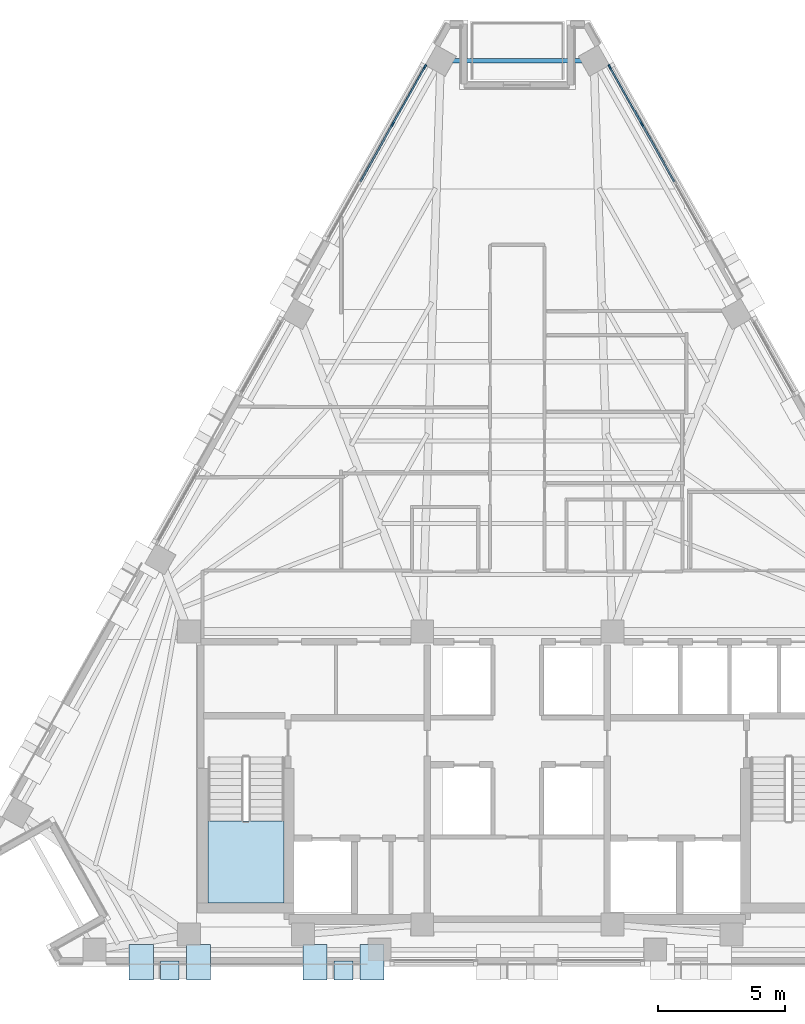
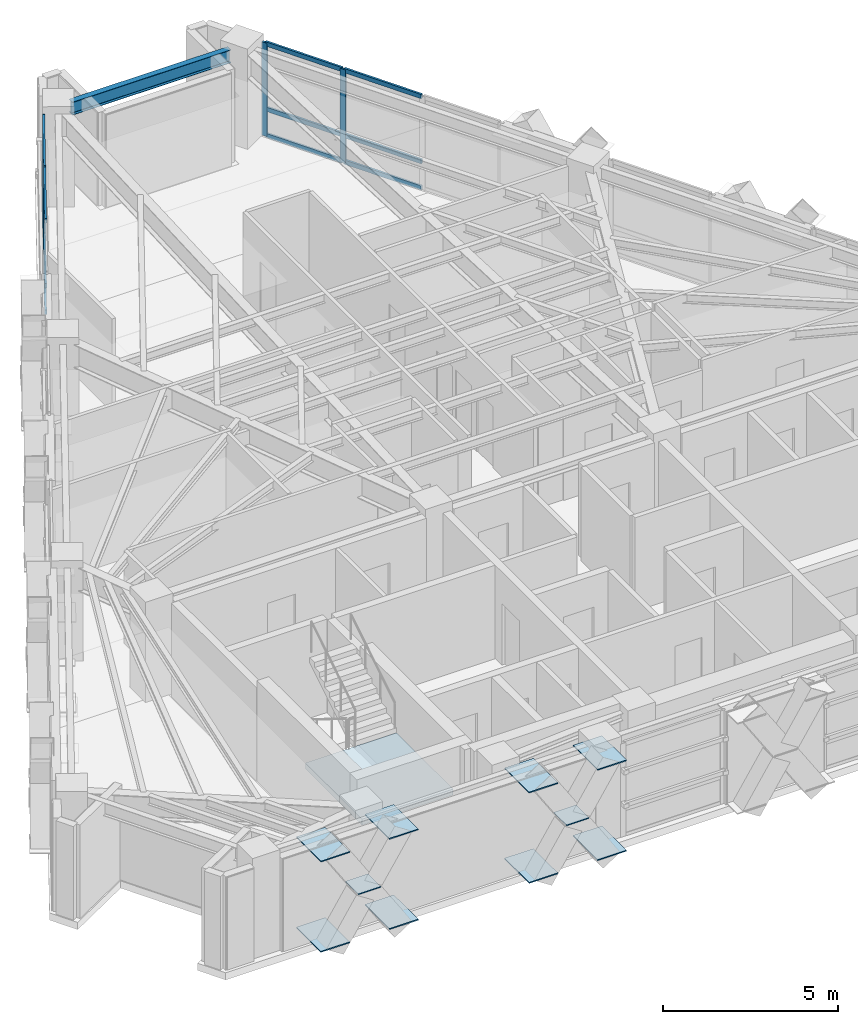
# One storey, part 6 of 15: 16 members, 10 plates, 1 beam, 1 slab, 3 elements without a shape of their own.
"""IFC4 building model written with IfcOpenShell, lengths in metres."""

from ifc_helpers import new_model, si_unit, direction, frame, origin, origin_2d, place, context, subcontext, project, spatial, polyline, rectangle, i_section, outline, extrude, material, layer, layer_set, material_profile, profile_set, type_object, element, aggregate, save


model = new_model("IFC4")

# Units and contexts
model_context = context("Model", 3, precision=1e-05, world=origin(), true_north=direction((0.0, 1.0)))
body_context = subcontext(model_context, "Body", "Model", "MODEL_VIEW")
ifc_project = project(units=[si_unit("LENGTHUNIT", "METRE"), si_unit("AREAUNIT", "SQUARE_METRE"), si_unit("VOLUMEUNIT", "CUBIC_METRE"), si_unit("PLANEANGLEUNIT", "RADIAN"), si_unit("MASSUNIT", "GRAM", prefix="KILO")], contexts=[model_context])

# Site, building, storey
site_placement = place(None, origin())
site = spatial("IfcSite", under=ifc_project, at=site_placement, CompositionType="ELEMENT")
building_placement = place(site_placement, origin())
building = spatial("IfcBuilding", under=site, at=building_placement, Name="Quenlor Broadcast Tower", CompositionType="ELEMENT")
storey_placement = place(building_placement, frame((0.0, 0.0, 183.39990234375)))
storey = spatial("IfcBuildingStorey", under=building, at=storey_placement, Name="L50", CompositionType="ELEMENT", Elevation=183.39990234375)

# Curtain wall, members
ifc_material_1 = material(Name="Architectural Terracotta and Low-E Glazing", Category="masonry")
curtain_wall_type = type_object("IfcCurtainWallType", Name="Unitised Terracotta Curtain Wall System Z4", PredefinedType="NOTDEFINED", material=ifc_material_1)
curtain_wall_1_placement = place(storey_placement, origin())
curtain_wall_1 = element("IfcCurtainWall", 1, at=curtain_wall_1_placement, inside=storey, type_object=curtain_wall_type, Name="L50 Curtain Wall CW4 (L50-NEA-G1)", PredefinedType="NOTDEFINED")
ifc_material_2 = material(Name="Aluminium 6063-T6", Category="aluminium")
ifc_material_profile_1 = material_profile(ifc_material_2, rectangle(XDim=0.068115234375, YDim=0.179931640625, at=origin_2d()))
ifc_profile_set_1 = profile_set([ifc_material_profile_1], Name="Aluminium 6063-T6 MULL68x180")
member_type_1 = type_object("IfcMemberType", Name="CW4 Aluminium Mullion MULL_CW4", PredefinedType="MULLION", material=ifc_profile_set_1)
member_1_placement = place(storey_placement, frame((3.640380859375, 17.468994140625, 0.0), z_axis=(0.0, 0.0, 1.0), x_axis=(0.871576890332, 0.490258833923, 0.0)))
member_1 = element("IfcMember", 2, at=member_1_placement, type_object=member_type_1, Name="CW4 mullion 1", PredefinedType="MULLION", context=body_context, shape_type="SweptSolid", body=[
    extrude(rectangle(XDim=0.068115234375, YDim=0.179931640625, at=origin_2d()), origin(), (0.0, 0.0, 1.0), 3.25),
])
member_2_placement = place(storey_placement, frame((4.913818359375, 15.205322265625, 0.0), z_axis=(0.0, 0.0, 1.0), x_axis=(0.871576890332, 0.490258833923, 0.0)))
member_2 = element("IfcMember", 3, at=member_2_placement, type_object=member_type_1, Name="CW4 mullion 2", PredefinedType="MULLION", context=body_context, shape_type="SweptSolid", body=[
    extrude(rectangle(XDim=0.068115234375, YDim=0.179931640625, at=origin_2d()), origin(), (0.0, 0.0, 1.0), 3.25),
])

curtain_wall_2_placement = place(storey_placement, origin())
curtain_wall_2 = element("IfcCurtainWall", 4, at=curtain_wall_2_placement, inside=storey, type_object=curtain_wall_type, Name="L50 Curtain Wall CW4 (L50-NWC-G1)", PredefinedType="NOTDEFINED")
member_3_placement = place(storey_placement, frame((-4.913818359375, 15.205322265625, 0.0), z_axis=(0.0, 0.0, 1.0), x_axis=(-0.871576890332, 0.490258833923, 0.0)))
member_3 = element("IfcMember", 5, at=member_3_placement, type_object=member_type_1, Name="CW4 mullion 3", PredefinedType="MULLION", context=body_context, shape_type="SweptSolid", body=[
    extrude(rectangle(XDim=0.068115234375, YDim=0.179931640625, at=origin_2d()), origin(), (0.0, 0.0, 1.0), 3.25),
])
member_4_placement = place(storey_placement, frame((-3.640380859375, 17.468994140625, 0.0), z_axis=(0.0, 0.0, 1.0), x_axis=(-0.871576890332, 0.490258833923, 0.0)))
member_4 = element("IfcMember", 6, at=member_4_placement, type_object=member_type_1, Name="CW4 mullion 4", PredefinedType="MULLION", context=body_context, shape_type="SweptSolid", body=[
    extrude(rectangle(XDim=0.068115234375, YDim=0.179931640625, at=origin_2d()), origin(), (0.0, 0.0, 1.0), 3.25),
])

# Member
ifc_material_3 = material(Name="Aluminium 6063-T6", Category="aluminium")
ifc_material_profile_2 = material_profile(ifc_material_3, rectangle(XDim=0.068115234375, YDim=0.14990234375, at=origin_2d()))
ifc_profile_set_2 = profile_set([ifc_material_profile_2], Name="Aluminium 6063-T6 TRAN68x150")
member_type_2 = type_object("IfcMemberType", Name="CW4 Aluminium Transom TRAN_CW4", PredefinedType="USERDEFINED", material=ifc_profile_set_2)
member_5_placement = place(storey_placement, frame((3.6572265625, 17.439453125, 0.0341796875), z_axis=(0.490233743591, -0.871591003077, 0.0), x_axis=(0.871591003077, 0.490233743591, 0.0)))
member_5 = element("IfcMember", 7, at=member_5_placement, type_object=member_type_2, Name="CW4 transom 1.1", ObjectType="TRANSOM", PredefinedType="USERDEFINED", context=body_context, shape_type="SweptSolid", body=[
    extrude(rectangle(XDim=0.068115234375, YDim=0.14990234375, at=origin_2d()), origin(), (0.0, 0.0, 1.0), 2.529296875),
])

member_6_placement = place(storey_placement, frame((3.6572265625, 17.439453125, 0.9501953125), z_axis=(0.490233743591, -0.871591003077, 0.0), x_axis=(0.871591003077, 0.490233743591, 0.0)))
member_6 = element("IfcMember", 8, at=member_6_placement, type_object=member_type_2, Name="CW4 transom 1.2", ObjectType="TRANSOM", PredefinedType="USERDEFINED", context=body_context, shape_type="SweptSolid", body=[
    extrude(rectangle(XDim=0.068115234375, YDim=0.14990234375, at=origin_2d()), origin(), (0.0, 0.0, 1.0), 2.529296875),
])

member_7_placement = place(storey_placement, frame((3.6572265625, 17.439453125, 3.216064453125), z_axis=(0.490233743591, -0.871591003077, 0.0), x_axis=(0.871591003077, 0.490233743591, 0.0)))
member_7 = element("IfcMember", 9, at=member_7_placement, type_object=member_type_2, Name="CW4 transom 1.3", ObjectType="TRANSOM", PredefinedType="USERDEFINED", context=body_context, shape_type="SweptSolid", body=[
    extrude(rectangle(XDim=0.068115234375, YDim=0.14990234375, at=origin_2d()), origin(), (0.0, 0.0, 1.0), 2.529296875),
])

member_8_placement = place(storey_placement, frame((4.930419921875, 15.175537109375, 0.0341796875), z_axis=(0.490301935654, -0.871552644362, 0.0), x_axis=(0.871552644362, 0.490301935654, 0.0)))
member_8 = element("IfcMember", 10, at=member_8_placement, type_object=member_type_2, Name="CW4 transom 2.1", ObjectType="TRANSOM", PredefinedType="USERDEFINED", context=body_context, shape_type="SweptSolid", body=[
    extrude(rectangle(XDim=0.068115234375, YDim=0.14990234375, at=origin_2d()), origin(), (0.0, 0.0, 1.0), 2.5634765625),
])

member_9_placement = place(storey_placement, frame((4.930419921875, 15.175537109375, 0.9501953125), z_axis=(0.490301935654, -0.871552644362, 0.0), x_axis=(0.871552644362, 0.490301935654, 0.0)))
member_9 = element("IfcMember", 11, at=member_9_placement, type_object=member_type_2, Name="CW4 transom 2.2", ObjectType="TRANSOM", PredefinedType="USERDEFINED", context=body_context, shape_type="SweptSolid", body=[
    extrude(rectangle(XDim=0.068115234375, YDim=0.14990234375, at=origin_2d()), origin(), (0.0, 0.0, 1.0), 2.5634765625),
])

member_10_placement = place(storey_placement, frame((4.930419921875, 15.175537109375, 3.216064453125), z_axis=(0.490301935654, -0.871552644362, 0.0), x_axis=(0.871552644362, 0.490301935654, 0.0)))
member_10 = element("IfcMember", 12, at=member_10_placement, type_object=member_type_2, Name="CW4 transom 2.3", ObjectType="TRANSOM", PredefinedType="USERDEFINED", context=body_context, shape_type="SweptSolid", body=[
    extrude(rectangle(XDim=0.068115234375, YDim=0.14990234375, at=origin_2d()), origin(), (0.0, 0.0, 1.0), 2.5634765625),
])

aggregate(curtain_wall_1, [member_1, member_2, member_5, member_6, member_7, member_8, member_9, member_10])

member_11_placement = place(storey_placement, frame((-6.187255859375, 12.94140625, 0.0341796875), z_axis=(0.490301935654, 0.871552644362, 0.0), x_axis=(-0.871552644362, 0.490301935654, 0.0)))
member_11 = element("IfcMember", 13, at=member_11_placement, type_object=member_type_2, Name="CW4 transom 2.1", ObjectType="TRANSOM", PredefinedType="USERDEFINED", context=body_context, shape_type="SweptSolid", body=[
    extrude(rectangle(XDim=0.068115234375, YDim=0.14990234375, at=origin_2d()), origin(), (0.0, 0.0, 1.0), 2.5634765625),
])

member_12_placement = place(storey_placement, frame((-6.187255859375, 12.94140625, 0.9501953125), z_axis=(0.490301935654, 0.871552644362, 0.0), x_axis=(-0.871552644362, 0.490301935654, 0.0)))
member_12 = element("IfcMember", 14, at=member_12_placement, type_object=member_type_2, Name="CW4 transom 2.2", ObjectType="TRANSOM", PredefinedType="USERDEFINED", context=body_context, shape_type="SweptSolid", body=[
    extrude(rectangle(XDim=0.068115234375, YDim=0.14990234375, at=origin_2d()), origin(), (0.0, 0.0, 1.0), 2.5634765625),
])

member_13_placement = place(storey_placement, frame((-6.187255859375, 12.94140625, 3.216064453125), z_axis=(0.490301935654, 0.871552644362, 0.0), x_axis=(-0.871552644362, 0.490301935654, 0.0)))
member_13 = element("IfcMember", 15, at=member_13_placement, type_object=member_type_2, Name="CW4 transom 2.3", ObjectType="TRANSOM", PredefinedType="USERDEFINED", context=body_context, shape_type="SweptSolid", body=[
    extrude(rectangle(XDim=0.068115234375, YDim=0.14990234375, at=origin_2d()), origin(), (0.0, 0.0, 1.0), 2.5634765625),
])

member_14_placement = place(storey_placement, frame((-4.897216796875, 15.23486328125, 0.0341796875), z_axis=(0.490233743591, 0.871591003077, 0.0), x_axis=(-0.871591003077, 0.490233743591, 0.0)))
member_14 = element("IfcMember", 16, at=member_14_placement, type_object=member_type_2, Name="CW4 transom 3.1", ObjectType="TRANSOM", PredefinedType="USERDEFINED", context=body_context, shape_type="SweptSolid", body=[
    extrude(rectangle(XDim=0.068115234375, YDim=0.14990234375, at=origin_2d()), origin(), (0.0, 0.0, 1.0), 2.529296875),
])

member_15_placement = place(storey_placement, frame((-4.897216796875, 15.23486328125, 0.9501953125), z_axis=(0.490233743591, 0.871591003077, 0.0), x_axis=(-0.871591003077, 0.490233743591, 0.0)))
member_15 = element("IfcMember", 17, at=member_15_placement, type_object=member_type_2, Name="CW4 transom 3.2", ObjectType="TRANSOM", PredefinedType="USERDEFINED", context=body_context, shape_type="SweptSolid", body=[
    extrude(rectangle(XDim=0.068115234375, YDim=0.14990234375, at=origin_2d()), origin(), (0.0, 0.0, 1.0), 2.529296875),
])

member_16_placement = place(storey_placement, frame((-4.897216796875, 15.23486328125, 3.216064453125), z_axis=(0.490233743591, 0.871591003077, 0.0), x_axis=(-0.871591003077, 0.490233743591, 0.0)))
member_16 = element("IfcMember", 18, at=member_16_placement, type_object=member_type_2, Name="CW4 transom 3.3", ObjectType="TRANSOM", PredefinedType="USERDEFINED", context=body_context, shape_type="SweptSolid", body=[
    extrude(rectangle(XDim=0.068115234375, YDim=0.14990234375, at=origin_2d()), origin(), (0.0, 0.0, 1.0), 2.529296875),
])

aggregate(curtain_wall_2, [member_3, member_4, member_11, member_12, member_13, member_14, member_15, member_16])

# Beam
ifc_material_4 = material(Name="Steel S355", Category="steel")
ifc_material_profile_3 = material_profile(ifc_material_4, i_section(OverallWidth=0.18994140625, OverallDepth=0.453857421875, WebThickness=0.008544921875, FlangeThickness=0.0126953125, FilletRadius=0.011474609375, at=origin_2d()))
ifc_profile_set_3 = profile_set([ifc_material_profile_3], Name="Steel S355 460UB67.1")
beam_type = type_object("IfcBeamType", Name="Perimeter Spandrel Beam Z4 Steel S355 460UB67.1", PredefinedType="SPANDREL", material=ifc_profile_set_3)
beam_placement = place(storey_placement, frame((2.610595703125, 17.704345703125, 3.023193359375), z_axis=(-1.0, 0.0, 0.0), x_axis=(0.0, -1.0, 0.0)))
element("IfcBeam", 19, at=beam_placement, inside=storey, type_object=beam_type, Name="L50 Spandrel Beam NE4-NW1", PredefinedType="SPANDREL", context=body_context, shape_type="SweptSolid", body=[
    extrude(i_section(OverallWidth=0.18994140625, OverallDepth=0.453857421875, WebThickness=0.008544921875, FlangeThickness=0.0126953125, FilletRadius=0.011474609375, at=origin_2d()), origin(), (0.0, 0.0, 1.0), 5.22119140625),
])

# Plates
ifc_material_5 = material(Name="Steel S355", Category="steel")
ifc_layer_1 = layer(ifc_material_5, 0.028076171875)
ifc_layer_set_1 = layer_set([ifc_layer_1], Name="Perimeter Lattice Node Steel S355 Cap Plate 740x740x28")
plate_type_1 = type_object("IfcPlateType", Name="Perimeter Lattice Node Steel S355 Cap Plate 740x740x28", PredefinedType="USERDEFINED", material=ifc_layer_set_1)
for number, where, z_axis, x_axis, name in (
    (20, (-6.850341796875, -18.169921875, 1.6162109375), (0.0, 0.0, 1.0), (-1.0, 0.0, 0.0), "L50 Diamond Lattice Crossing Node S-C4"),
    (21, (-13.70068359375, -18.169921875, 1.6162109375), (0.0, 0.0, 1.0), (-1.0, 0.0, 0.0), "L50 Diamond Lattice Crossing Node S-C5"),
):
    element("IfcPlate", number, at=place(storey_placement, frame(where, z_axis=z_axis, x_axis=x_axis)), inside=storey, type_object=plate_type_1, Name=name, ObjectType="CAP PLATE", PredefinedType="USERDEFINED", context=body_context, shape_type="SweptSolid", body=[
        extrude(rectangle(XDim=0.739990234375, YDim=0.739990234375, at=origin_2d()), origin(), (0.0, 0.0, 1.0), 0.028076171875),
    ])

# Stair, slab
ifc_material_6 = material(Name="Precast concrete C40/50", Category="concrete")
stair_type = type_object("IfcStairType", Name="Precast Concrete C40/50 Dogleg Stair H350", PredefinedType="HALF_TURN_STAIR", material=ifc_material_6)
stair_placement = place(storey_placement, origin())
stair = element("IfcStair", 22, at=stair_placement, inside=storey, type_object=stair_type, Name="L50 West Core Fire-Isolated Exit Stair ST-1", PredefinedType="HALF_TURN_STAIR")
ifc_material_7 = material(Name="Precast concrete C40/50", Category="concrete")
ifc_layer_2 = layer(ifc_material_7, 0.199951171875)
ifc_layer_set_2 = layer_set([ifc_layer_2], Name="Precast Concrete C40/50 Stair Landing Slab 200")
slab_type = type_object("IfcSlabType", Name="Precast Concrete C40/50 Stair Landing Slab 200", PredefinedType="LANDING", material=ifc_layer_set_2)
slab_placement = place(storey_placement, frame((0.0, 0.0, 1.550048828125)))
slab = element("IfcSlab", 23, at=slab_placement, type_object=slab_type, Name="ST-1 landing 1", PredefinedType="LANDING", context=body_context, shape_type="SweptSolid", body=[
    extrude(outline(polyline([(-12.199951171875, -12.27001953125), (-12.199951171875, -15.5), (-9.199951171875, -15.5), (-9.199951171875, -12.27001953125), (-12.199951171875, -12.27001953125)])), origin(), (0.0, 0.0, 1.0), 0.199951171875),
])
aggregate(stair, [slab])

# Plates
ifc_material_8 = material(Name="Steel S355", Category="steel")
ifc_layer_3 = layer(ifc_material_8, 0.035888671875)
ifc_layer_set_3 = layer_set([ifc_layer_3], Name="Transfer Truss Steel S355 Gusset Node Plate 1400x950x36")
plate_type_2 = type_object("IfcPlateType", Name="Transfer Truss Steel S355 Gusset Node Plate 1400x950x36", PredefinedType="SHEET", material=ifc_layer_set_3)
for number, where, z_axis, x_axis, name in (
    (24, (-5.722412109375, -17.8349609375, 0.0419921875), (0.0, 0.0, 1.0), (0.0, -1.0, 0.0), "L50 Lattice Tie Gusset Node S-B10"),
    (25, (-7.978515625, -17.8349609375, 3.18212890625), (0.0, 0.0, 1.0), (0.0, -1.0, 0.0), "L50 Lattice Tie Gusset Node S-T11"),
    (26, (-7.978515625, -17.8349609375, 0.0419921875), (0.0, 0.0, 1.0), (0.0, -1.0, 0.0), "L50 Lattice Tie Gusset Node S-B11"),
    (27, (-5.722412109375, -17.8349609375, 3.18212890625), (0.0, 0.0, 1.0), (0.0, -1.0, 0.0), "L50 Lattice Tie Gusset Node S-T10"),
    (28, (-12.57275390625, -17.8349609375, 0.0419921875), (0.0, 0.0, 1.0), (0.0, -1.0, 0.0), "L50 Lattice Tie Gusset Node S-B13"),
    (29, (-14.828857421875, -17.8349609375, 3.18212890625), (0.0, 0.0, 1.0), (0.0, -1.0, 0.0), "L50 Lattice Tie Gusset Node S-T14"),
    (30, (-14.828857421875, -17.8349609375, 0.0419921875), (0.0, 0.0, 1.0), (0.0, -1.0, 0.0), "L50 Lattice Tie Gusset Node S-B14"),
    (31, (-12.57275390625, -17.8349609375, 3.18212890625), (0.0, 0.0, 1.0), (0.0, -1.0, 0.0), "L50 Lattice Tie Gusset Node S-T13"),
):
    element("IfcPlate", number, at=place(storey_placement, frame(where, z_axis=z_axis, x_axis=x_axis)), inside=storey, type_object=plate_type_2, Name=name, PredefinedType="SHEET", context=body_context, shape_type="SweptSolid", body=[
        extrude(rectangle(XDim=1.39990234375, YDim=0.949951171875, at=origin_2d()), origin(), (0.0, 0.0, 1.0), 0.035888671875),
    ])

save(model, "model.ifc")
